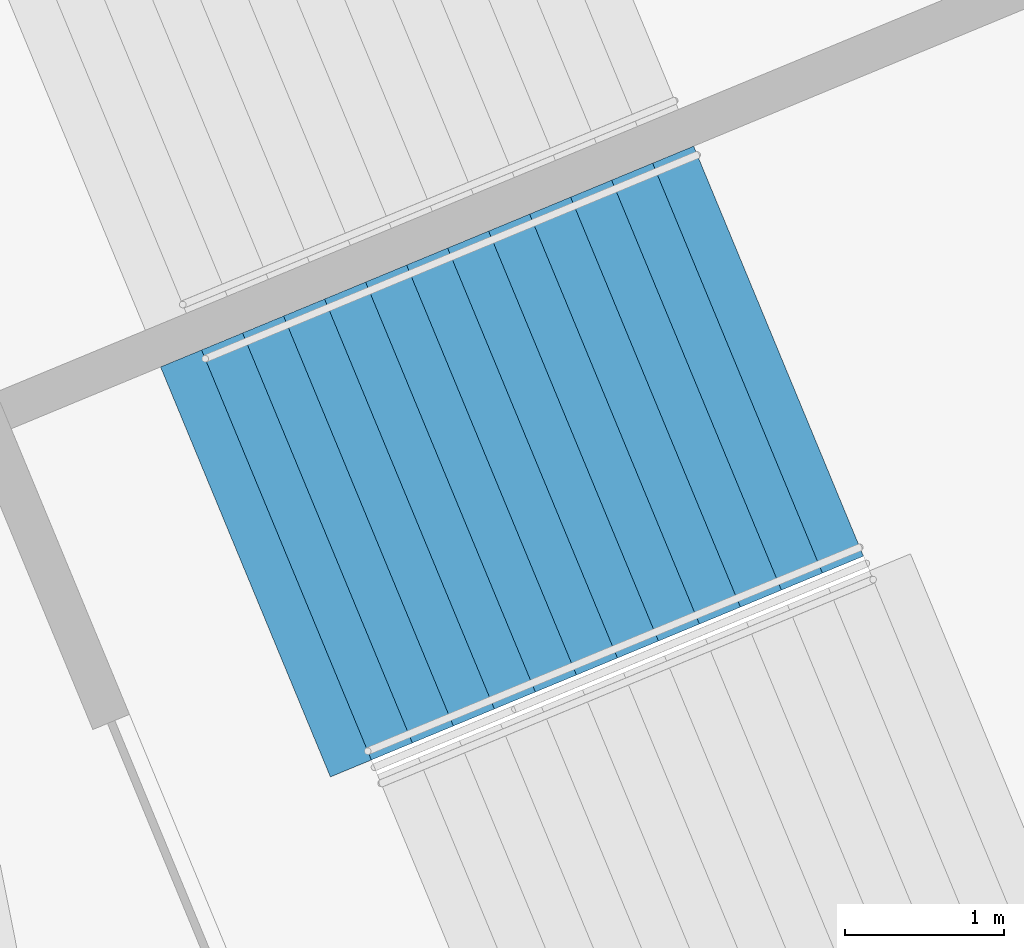
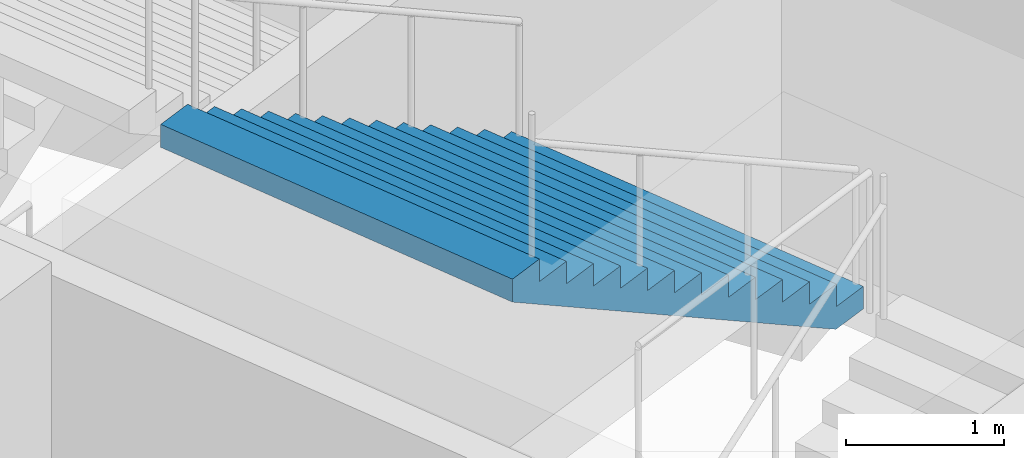
# One storey, part 156 of 177: 1 stair flight, 1 element without a shape of its own.
"""IFC4 building model written with IfcOpenShell, lengths in metres."""

import ifcopenshell
import ifcopenshell.guid

model = None  # the IFC model being written
_history = None  # IfcOwnerHistory: only IFC2X3 demands one
_inside = {}  # id of a spatial element -> (the spatial element, [elements in it])
_under = {}  # id of a project, library or spatial element -> (it, [spatial elements below it])
_declared = {}  # id of a project -> (the project, [libraries it declares])
_typed = {}  # id of a type object -> (the type object, [elements of that type])
_made_of = {}  # id of a material, layer set ... -> (it, [elements and type objects made of it])


def new_model(schema):
    """Start an empty IFC model of exactly this schema.

    Asked for "IFC4X3", IfcOpenShell would pick the latest addendum, in which some entities
    have other attributes; the version numbers below select the first issue.
    IFC2X3 requires an IfcOwnerHistory on every rooted entity: one is made here for all.
    """
    global model, _history
    if schema == "IFC4X3":
        model = ifcopenshell.file(schema_version=(4, 3, 0, 0))
    else:
        model = ifcopenshell.file(schema=schema)
    _inside.clear()
    _under.clear()
    _declared.clear()
    _typed.clear()
    _made_of.clear()
    _history = None
    if model.schema == "IFC2X3":
        org = make("IfcOrganization", Name="unknown")
        user = make(
            "IfcPersonAndOrganization",
            ThePerson=make("IfcPerson", FamilyName="unknown"),
            TheOrganization=org,
        )
        app = make(
            "IfcApplication",
            ApplicationDeveloper=org,
            Version="unknown",
            ApplicationFullName="unknown",
            ApplicationIdentifier="unknown",
        )
        _history = make(
            "IfcOwnerHistory",
            OwningUser=user,
            OwningApplication=app,
            ChangeAction="ADDED",
            CreationDate=0,
        )
    return model


def make(cls, **values):
    """One entity of the class cls with the attributes given. An attribute that is None is left unset."""
    return model.create_entity(
        cls, **{name: value for name, value in values.items() if value is not None}
    )


def rooted(cls, **values):
    """An entity with a GlobalId (a new one), such as an element, a storey or a relation."""
    return make(cls, GlobalId=ifcopenshell.guid.new(), OwnerHistory=_history, **values)


def si_unit(unit_type, name, prefix=None):
    """IfcSIUnit, for example si_unit("LENGTHUNIT", "METRE", prefix="MILLI")."""
    return make("IfcSIUnit", UnitType=unit_type, Prefix=prefix, Name=name)


def assignment(units):
    """IfcUnitAssignment: the units of a project."""
    return None if units is None else make("IfcUnitAssignment", Units=units)


def point(xyz):
    """IfcCartesianPoint."""
    return None if xyz is None else make("IfcCartesianPoint", Coordinates=xyz)


def direction(xyz):
    """IfcDirection."""
    return None if xyz is None else make("IfcDirection", DirectionRatios=xyz)


def frame(location, z_axis=None, x_axis=None):
    """IfcAxis2Placement3D, a coordinate frame: its origin and axes. An axis left out is left unset."""
    return make(
        "IfcAxis2Placement3D",
        Location=point(location),
        Axis=direction(z_axis),
        RefDirection=direction(x_axis),
    )


def origin():
    """The frame at (0, 0, 0) with its axes left unset."""
    return frame((0.0, 0.0, 0.0))


def place(relative_to, where):
    """IfcLocalPlacement: puts the frame where relative to a parent placement (None: the world)."""
    return make(
        "IfcLocalPlacement", PlacementRelTo=relative_to, RelativePlacement=where
    )


def context(
    kind, dimensions, precision=None, world=None, true_north=None, identifier=None
):
    """IfcGeometricRepresentationContext, for example the 3D "Model" context."""
    return make(
        "IfcGeometricRepresentationContext",
        ContextIdentifier=identifier,
        ContextType=kind,
        CoordinateSpaceDimension=dimensions,
        Precision=precision,
        WorldCoordinateSystem=world,
        TrueNorth=true_north,
    )


def subcontext(parent, identifier, kind, view, scale=None):
    """IfcGeometricRepresentationSubContext, for example "Body" below "Model"."""
    return make(
        "IfcGeometricRepresentationSubContext",
        ContextIdentifier=identifier,
        ContextType=kind,
        ParentContext=parent,
        TargetScale=scale,
        TargetView=view,
    )


def project(units=None, contexts=None):
    """IfcProject with its units and contexts."""
    return rooted(
        "IfcProject",
        Name="project",
        RepresentationContexts=contexts,
        UnitsInContext=assignment(units),
    )


def spatial(cls, under=None, at=None, **own):
    """A site, building, storey or space (cls), placed at a placement, below another one or the project."""
    s = rooted(cls, ObjectPlacement=at, **own)
    if under is not None:
        _under.setdefault(under.id(), (under, []))[1].append(s)
    return s


def faces_of(points, faces, orient=None, outer=None):
    """IfcFace entities. A face is a list of loops; a loop is a list of indices into points, from 0.

    orient and outer hold one flag for each loop. By default every Orientation is true, the
    first loop of a face is its IfcFaceOuterBound and the others are IfcFaceBound.
    """
    made = []
    for i, loops in enumerate(faces):
        bounds = []
        for j, loop in enumerate(loops):
            is_outer = j == 0 if outer is None else outer[i][j]
            bounds.append(
                make(
                    "IfcFaceOuterBound" if is_outer else "IfcFaceBound",
                    Bound=make("IfcPolyLoop", Polygon=[points[k] for k in loop]),
                    Orientation=True if orient is None else orient[i][j],
                )
            )
        made.append(make("IfcFace", Bounds=bounds))
    return made


def faceted_brep(points, faces, orient=None, outer=None, voids=None):
    """IfcFacetedBrep: a solid bounded by flat faces; with voids (closed shells), ...WithVoids."""
    shared = [point(p) for p in points]
    hull = make("IfcClosedShell", CfsFaces=faces_of(shared, faces, orient, outer))
    if voids is None:
        return make("IfcFacetedBrep", Outer=hull)
    return make(
        "IfcFacetedBrepWithVoids",
        Outer=hull,
        Voids=[
            make(cls, CfsFaces=faces_of(shared, fs, o, b)) for cls, fs, o, b in voids
        ],
    )


def shape(context_of_items, identifier, shape_type, items):
    """IfcShapeRepresentation: the items that make up one representation, for example the "Body"."""
    return make(
        "IfcShapeRepresentation",
        ContextOfItems=context_of_items,
        RepresentationIdentifier=identifier,
        RepresentationType=shape_type,
        Items=items,
    )


def material(Name=None, Category=None):
    """IfcMaterial."""
    return make("IfcMaterial", Name=Name, Category=Category)


def made_of(thing, what):
    """Note that an element or type object is made of a material, layer set ...; save() writes the relation."""
    if what is not None:
        _made_of.setdefault(what.id(), (what, []))[1].append(thing)
    return thing


def type_object(cls, material=None, **own):
    """A type object (cls), such as IfcWallType, which elements share."""
    return made_of(rooted(cls, **own), material)


def element(
    cls,
    number,
    at=None,
    inside=None,
    cuts=None,
    type_object=None,
    material=None,
    context=None,
    identifier="Body",
    shape_type=None,
    held_by="IfcProductDefinitionShape",
    body=None,
    shapes=None,
    **own,
):
    """One element of the class cls, such as IfcWall. Its Tag is "e" and its number.

    at: its placement. inside: the storey or other place that contains it. cuts: it is an
    opening in that element (IfcRelVoidsElement). A single representation is given by context,
    identifier, shape_type and body (its items); several are given by shapes. held_by: the class
    of the entity that holds the representations. save() writes the other relations.
    """
    e = rooted(cls, Tag="e%d" % number, ObjectPlacement=at, **own)
    if body is not None:
        shapes = [shape(context, identifier, shape_type, body)]
    if shapes is not None:
        e.Representation = make(held_by, Representations=shapes)
    if inside is not None:
        _inside.setdefault(inside.id(), (inside, []))[1].append(e)
    if cuts is not None:
        rooted(
            "IfcRelVoidsElement", RelatingBuildingElement=cuts, RelatedOpeningElement=e
        )
    if type_object is not None:
        _typed.setdefault(type_object.id(), (type_object, []))[1].append(e)
    return made_of(e, material)


def aggregate(whole, parts):
    """IfcRelAggregates: a whole, such as a stair, and the parts it consists of."""
    return rooted("IfcRelAggregates", RelatingObject=whole, RelatedObjects=parts)


def save(model, path):
    """Write the relations noted so far, then the file.

    IfcRelAggregates (storeys below a building ...), IfcRelContainedInSpatialStructure (elements
    in a storey), IfcRelDefinesByType, IfcRelAssociatesMaterial and IfcRelDeclares: one each for
    every whole, place, type object, material and project.
    """
    for whole, parts in _under.values():
        aggregate(whole, parts)
    for where, things in _inside.values():
        rooted(
            "IfcRelContainedInSpatialStructure",
            RelatedElements=things,
            RelatingStructure=where,
        )
    for kind, things in _typed.values():
        rooted("IfcRelDefinesByType", RelatedObjects=things, RelatingType=kind)
    for what, things in _made_of.values():
        rooted("IfcRelAssociatesMaterial", RelatedObjects=things, RelatingMaterial=what)
    for by, libraries in _declared.values():
        rooted("IfcRelDeclares", RelatingContext=by, RelatedDefinitions=libraries)
    model.write(path)


model = new_model("IFC4")

# Units and contexts
model_context = context("Model", 3, precision=1e-05, world=origin(), true_north=direction((0.0, 1.0)))
body_context = subcontext(model_context, "Body", "Model", "MODEL_VIEW")
ifc_project = project(units=[si_unit("LENGTHUNIT", "METRE"), si_unit("AREAUNIT", "SQUARE_METRE"), si_unit("VOLUMEUNIT", "CUBIC_METRE"), si_unit("PLANEANGLEUNIT", "RADIAN"), si_unit("MASSUNIT", "GRAM", prefix="KILO")], contexts=[model_context])

# Site, building, storey
site_placement = place(None, origin())
site = spatial("IfcSite", under=ifc_project, at=site_placement, CompositionType="ELEMENT")
building_placement = place(site_placement, origin())
building = spatial("IfcBuilding", under=site, at=building_placement, Name="Ogive Plaza Stadium", CompositionType="ELEMENT")
storey_placement = place(building_placement, frame((0.0, 0.0, 18.0)))
storey = spatial("IfcBuildingStorey", under=building, at=storey_placement, Name="L04", CompositionType="ELEMENT", Elevation=18.0)

# Stair, stair flight
ifc_material_1 = material(Name="Concrete C40/50", Category="concrete")
stair_type = type_object("IfcStairType", Name="Exit stair", PredefinedType="STRAIGHT_RUN_STAIR", material=ifc_material_1)
stair_placement = place(storey_placement, origin())
stair = element("IfcStair", 1, at=stair_placement, inside=storey, type_object=stair_type, Name="Exit stair ST40A L04 to L05", PredefinedType="STRAIGHT_RUN_STAIR")
ifc_material_2 = material(Name="Concrete C40/50", Category="concrete")
stair_flight_type = type_object("IfcStairFlightType", Name="Exit stair flight", PredefinedType="STRAIGHT", material=ifc_material_2)
stair_flight_placement = place(storey_placement, frame((76.814208984375, 68.58349609375, 2.25), z_axis=(0.0, 0.0, 1.0), x_axis=(-0.923879532511, -0.382683432365, 0.0)))
stair_flight = element("IfcStairFlight", 2, at=stair_flight_placement, type_object=stair_flight_type, Name="ST40A flight 2", NumberOfRisers=13, NumberOfTreads=12, PredefinedType="STRAIGHT", RiserHeight=0.173076923, TreadLength=0.28, context=body_context, shape_type="Brep", body=[
    faceted_brep([(0.28515625, -1.39990234375, 0.0), (3.639892578125, -1.39990234375, 2.07373046875), (3.639892578125, -1.39990234375, 2.25), (3.360107421875, -1.39990234375, 2.25), (3.360107421875, -1.39990234375, 2.076904296875), (3.080078125, -1.39990234375, 2.076904296875), (3.080078125, -1.39990234375, 1.90380859375), (2.800048828125, -1.39990234375, 1.90380859375), (2.800048828125, -1.39990234375, 1.730712890625), (2.52001953125, -1.39990234375, 1.730712890625), (2.52001953125, -1.39990234375, 1.5576171875), (2.239990234375, -1.39990234375, 1.5576171875), (2.239990234375, -1.39990234375, 1.384521484375), (1.9599609375, -1.39990234375, 1.384521484375), (1.9599609375, -1.39990234375, 1.21142578125), (1.679931640625, -1.39990234375, 1.21142578125), (1.679931640625, -1.39990234375, 1.03857421875), (1.39990234375, -1.39990234375, 1.03857421875), (1.39990234375, -1.39990234375, 0.865478515625), (1.1201171875, -1.39990234375, 0.865478515625), (1.1201171875, -1.39990234375, 0.6923828125), (0.840087890625, -1.39990234375, 0.6923828125), (0.840087890625, -1.39990234375, 0.519287109375), (0.56005859375, -1.39990234375, 0.519287109375), (0.56005859375, -1.39990234375, 0.34619140625), (0.280029296875, -1.39990234375, 0.34619140625), (0.280029296875, -1.39990234375, 0.173095703125), (0.0, -1.39990234375, 0.173095703125), (0.0, -1.39990234375, 0.0), (0.0, 1.39990234375, 0.0), (0.0, 1.39990234375, 0.173095703125), (0.280029296875, 1.39990234375, 0.173095703125), (0.280029296875, 1.39990234375, 0.34619140625), (0.56005859375, 1.39990234375, 0.34619140625), (0.56005859375, 1.39990234375, 0.519287109375), (0.840087890625, 1.39990234375, 0.519287109375), (0.840087890625, 1.39990234375, 0.6923828125), (1.1201171875, 1.39990234375, 0.6923828125), (1.1201171875, 1.39990234375, 0.865478515625), (1.39990234375, 1.39990234375, 0.865478515625), (1.39990234375, 1.39990234375, 1.03857421875), (1.679931640625, 1.39990234375, 1.03857421875), (1.679931640625, 1.39990234375, 1.21142578125), (1.9599609375, 1.39990234375, 1.21142578125), (1.9599609375, 1.39990234375, 1.384521484375), (2.239990234375, 1.39990234375, 1.384521484375), (2.239990234375, 1.39990234375, 1.5576171875), (2.52001953125, 1.39990234375, 1.5576171875), (2.52001953125, 1.39990234375, 1.730712890625), (2.800048828125, 1.39990234375, 1.730712890625), (2.800048828125, 1.39990234375, 1.90380859375), (3.080078125, 1.39990234375, 1.90380859375), (3.080078125, 1.39990234375, 2.076904296875), (3.360107421875, 1.39990234375, 2.076904296875), (3.360107421875, 1.39990234375, 2.25), (3.639892578125, 1.39990234375, 2.25), (3.639892578125, 1.39990234375, 2.07373046875), (0.28515625, 1.39990234375, 0.0), (0.28515625, -1.0888671875, 0.0), (3.639892578125, -1.0888671875, 2.07373046875), (0.28515625, -0.77783203125, 0.0), (3.639892578125, -0.77783203125, 2.07373046875), (0.28515625, -0.466796875, 0.0), (3.639892578125, -0.466796875, 2.07373046875), (0.28515625, -0.155517578125, 0.0), (3.639892578125, -0.155517578125, 2.07373046875), (0.28515625, 0.155517578125, 0.0), (3.639892578125, 0.155517578125, 2.07373046875), (0.28515625, 0.466796875, 0.0), (3.639892578125, 0.466796875, 2.07373046875), (0.28515625, 0.77783203125, 0.0), (3.639892578125, 0.77783203125, 2.07373046875), (0.28515625, 1.0888671875, 0.0), (3.639892578125, 1.0888671875, 2.07373046875), (3.639892578125, -1.0888671875, 2.25), (3.639892578125, -0.77783203125, 2.25), (3.639892578125, -0.466796875, 2.25), (3.639892578125, -0.155517578125, 2.25), (3.639892578125, 0.155517578125, 2.25), (3.639892578125, 0.466796875, 2.25), (3.639892578125, 0.77783203125, 2.25), (3.639892578125, 1.0888671875, 2.25), (3.360107421875, -1.0888671875, 2.25), (3.360107421875, -0.77783203125, 2.25), (3.360107421875, -0.466796875, 2.25), (3.360107421875, -0.155517578125, 2.25), (3.360107421875, 0.155517578125, 2.25), (3.360107421875, 0.466796875, 2.25), (3.360107421875, 0.77783203125, 2.25), (3.360107421875, 1.0888671875, 2.25), (3.360107421875, -1.0888671875, 2.076904296875), (3.360107421875, -0.77783203125, 2.076904296875), (3.360107421875, -0.466796875, 2.076904296875), (3.360107421875, -0.155517578125, 2.076904296875), (3.360107421875, 0.155517578125, 2.076904296875), (3.360107421875, 0.466796875, 2.076904296875), (3.360107421875, 0.77783203125, 2.076904296875), (3.360107421875, 1.0888671875, 2.076904296875), (3.080078125, -1.0888671875, 2.076904296875), (3.080078125, -0.77783203125, 2.076904296875), (3.080078125, -0.466796875, 2.076904296875), (3.080078125, -0.155517578125, 2.076904296875), (3.080078125, 0.155517578125, 2.076904296875), (3.080078125, 0.466796875, 2.076904296875), (3.080078125, 0.77783203125, 2.076904296875), (3.080078125, 1.0888671875, 2.076904296875), (3.080078125, -1.0888671875, 1.90380859375), (3.080078125, -0.77783203125, 1.90380859375), (3.080078125, -0.466796875, 1.90380859375), (3.080078125, -0.155517578125, 1.90380859375), (3.080078125, 0.155517578125, 1.90380859375), (3.080078125, 0.466796875, 1.90380859375), (3.080078125, 0.77783203125, 1.90380859375), (3.080078125, 1.0888671875, 1.90380859375), (2.800048828125, -1.0888671875, 1.90380859375), (2.800048828125, -0.77783203125, 1.90380859375), (2.800048828125, -0.466796875, 1.90380859375), (2.800048828125, -0.155517578125, 1.90380859375), (2.800048828125, 0.155517578125, 1.90380859375), (2.800048828125, 0.466796875, 1.90380859375), (2.800048828125, 0.77783203125, 1.90380859375), (2.800048828125, 1.0888671875, 1.90380859375), (2.800048828125, -1.0888671875, 1.730712890625), (2.800048828125, -0.77783203125, 1.730712890625), (2.800048828125, -0.466796875, 1.730712890625), (2.800048828125, -0.155517578125, 1.730712890625), (2.800048828125, 0.155517578125, 1.730712890625), (2.800048828125, 0.466796875, 1.730712890625), (2.800048828125, 0.77783203125, 1.730712890625), (2.800048828125, 1.0888671875, 1.730712890625), (2.52001953125, -1.0888671875, 1.730712890625), (2.52001953125, -0.77783203125, 1.730712890625), (2.52001953125, -0.466796875, 1.730712890625), (2.52001953125, -0.155517578125, 1.730712890625), (2.52001953125, 0.155517578125, 1.730712890625), (2.52001953125, 0.466796875, 1.730712890625), (2.52001953125, 0.77783203125, 1.730712890625), (2.52001953125, 1.0888671875, 1.730712890625), (2.52001953125, -1.0888671875, 1.5576171875), (2.52001953125, -0.77783203125, 1.5576171875), (2.52001953125, -0.466796875, 1.5576171875), (2.52001953125, -0.155517578125, 1.5576171875), (2.52001953125, 0.155517578125, 1.5576171875), (2.52001953125, 0.466796875, 1.5576171875), (2.52001953125, 0.77783203125, 1.5576171875), (2.52001953125, 1.0888671875, 1.5576171875), (2.239990234375, -1.0888671875, 1.5576171875), (2.239990234375, -0.77783203125, 1.5576171875), (2.239990234375, -0.466796875, 1.5576171875), (2.239990234375, -0.155517578125, 1.5576171875), (2.239990234375, 0.155517578125, 1.5576171875), (2.239990234375, 0.466796875, 1.5576171875), (2.239990234375, 0.77783203125, 1.5576171875), (2.239990234375, 1.0888671875, 1.5576171875), (2.239990234375, -1.0888671875, 1.384521484375), (2.239990234375, -0.77783203125, 1.384521484375), (2.239990234375, -0.466796875, 1.384521484375), (2.239990234375, -0.155517578125, 1.384521484375), (2.239990234375, 0.155517578125, 1.384521484375), (2.239990234375, 0.466796875, 1.384521484375), (2.239990234375, 0.77783203125, 1.384521484375), (2.239990234375, 1.0888671875, 1.384521484375), (1.9599609375, -1.0888671875, 1.384521484375), (1.9599609375, -0.77783203125, 1.384521484375), (1.9599609375, -0.466796875, 1.384521484375), (1.9599609375, -0.155517578125, 1.384521484375), (1.9599609375, 0.155517578125, 1.384521484375), (1.9599609375, 0.466796875, 1.384521484375), (1.9599609375, 0.77783203125, 1.384521484375), (1.9599609375, 1.0888671875, 1.384521484375), (1.9599609375, -1.0888671875, 1.21142578125), (1.9599609375, -0.77783203125, 1.21142578125), (1.9599609375, -0.466796875, 1.21142578125), (1.9599609375, -0.155517578125, 1.21142578125), (1.9599609375, 0.155517578125, 1.21142578125), (1.9599609375, 0.466796875, 1.21142578125), (1.9599609375, 0.77783203125, 1.21142578125), (1.9599609375, 1.0888671875, 1.21142578125), (1.679931640625, -1.0888671875, 1.21142578125), (1.679931640625, -0.77783203125, 1.21142578125), (1.679931640625, -0.466796875, 1.21142578125), (1.679931640625, -0.155517578125, 1.21142578125), (1.679931640625, 0.155517578125, 1.21142578125), (1.679931640625, 0.466796875, 1.21142578125), (1.679931640625, 0.77783203125, 1.21142578125), (1.679931640625, 1.0888671875, 1.21142578125), (1.679931640625, -1.0888671875, 1.03857421875), (1.679931640625, -0.77783203125, 1.03857421875), (1.679931640625, -0.466796875, 1.03857421875), (1.679931640625, -0.155517578125, 1.03857421875), (1.679931640625, 0.155517578125, 1.03857421875), (1.679931640625, 0.466796875, 1.03857421875), (1.679931640625, 0.77783203125, 1.03857421875), (1.679931640625, 1.0888671875, 1.03857421875), (1.39990234375, -1.0888671875, 1.03857421875), (1.39990234375, -0.77783203125, 1.03857421875), (1.39990234375, -0.466796875, 1.03857421875), (1.39990234375, -0.155517578125, 1.03857421875), (1.39990234375, 0.155517578125, 1.03857421875), (1.39990234375, 0.466796875, 1.03857421875), (1.39990234375, 0.77783203125, 1.03857421875), (1.39990234375, 1.0888671875, 1.03857421875), (1.39990234375, -1.0888671875, 0.865478515625), (1.39990234375, -0.77783203125, 0.865478515625), (1.39990234375, -0.466796875, 0.865478515625), (1.39990234375, -0.155517578125, 0.865478515625), (1.39990234375, 0.155517578125, 0.865478515625), (1.39990234375, 0.466796875, 0.865478515625), (1.39990234375, 0.77783203125, 0.865478515625), (1.39990234375, 1.0888671875, 0.865478515625), (1.1201171875, -1.0888671875, 0.865478515625), (1.1201171875, -0.77783203125, 0.865478515625), (1.1201171875, -0.466796875, 0.865478515625), (1.1201171875, -0.155517578125, 0.865478515625), (1.1201171875, 0.155517578125, 0.865478515625), (1.1201171875, 0.466796875, 0.865478515625), (1.1201171875, 0.77783203125, 0.865478515625), (1.1201171875, 1.0888671875, 0.865478515625), (1.1201171875, -1.0888671875, 0.6923828125), (1.1201171875, -0.77783203125, 0.6923828125), (1.1201171875, -0.466796875, 0.6923828125), (1.1201171875, -0.155517578125, 0.6923828125), (1.1201171875, 0.155517578125, 0.6923828125), (1.1201171875, 0.466796875, 0.6923828125), (1.1201171875, 0.77783203125, 0.6923828125), (1.1201171875, 1.0888671875, 0.6923828125), (0.840087890625, -1.0888671875, 0.6923828125), (0.840087890625, -0.77783203125, 0.6923828125), (0.840087890625, -0.466796875, 0.6923828125), (0.840087890625, -0.155517578125, 0.6923828125), (0.840087890625, 0.155517578125, 0.6923828125), (0.840087890625, 0.466796875, 0.6923828125), (0.840087890625, 0.77783203125, 0.6923828125), (0.840087890625, 1.0888671875, 0.6923828125), (0.840087890625, -1.0888671875, 0.519287109375), (0.840087890625, -0.77783203125, 0.519287109375), (0.840087890625, -0.466796875, 0.519287109375), (0.840087890625, -0.155517578125, 0.519287109375), (0.840087890625, 0.155517578125, 0.519287109375), (0.840087890625, 0.466796875, 0.519287109375), (0.840087890625, 0.77783203125, 0.519287109375), (0.840087890625, 1.0888671875, 0.519287109375), (0.56005859375, -1.0888671875, 0.519287109375), (0.56005859375, -0.77783203125, 0.519287109375), (0.56005859375, -0.466796875, 0.519287109375), (0.56005859375, -0.155517578125, 0.519287109375), (0.56005859375, 0.155517578125, 0.519287109375), (0.56005859375, 0.466796875, 0.519287109375), (0.56005859375, 0.77783203125, 0.519287109375), (0.56005859375, 1.0888671875, 0.519287109375), (0.56005859375, -1.0888671875, 0.34619140625), (0.56005859375, -0.77783203125, 0.34619140625), (0.56005859375, -0.466796875, 0.34619140625), (0.56005859375, -0.155517578125, 0.34619140625), (0.56005859375, 0.155517578125, 0.34619140625), (0.56005859375, 0.466796875, 0.34619140625), (0.56005859375, 0.77783203125, 0.34619140625), (0.56005859375, 1.0888671875, 0.34619140625), (0.280029296875, -1.0888671875, 0.34619140625), (0.280029296875, -0.77783203125, 0.34619140625), (0.280029296875, -0.466796875, 0.34619140625), (0.280029296875, -0.155517578125, 0.34619140625), (0.280029296875, 0.155517578125, 0.34619140625), (0.280029296875, 0.466796875, 0.34619140625), (0.280029296875, 0.77783203125, 0.34619140625), (0.280029296875, 1.0888671875, 0.34619140625), (0.280029296875, -1.0888671875, 0.173095703125), (0.280029296875, -0.77783203125, 0.173095703125), (0.280029296875, -0.466796875, 0.173095703125), (0.280029296875, -0.155517578125, 0.173095703125), (0.280029296875, 0.155517578125, 0.173095703125), (0.280029296875, 0.466796875, 0.173095703125), (0.280029296875, 0.77783203125, 0.173095703125), (0.280029296875, 1.0888671875, 0.173095703125), (0.0, -1.0888671875, 0.173095703125), (0.0, -0.77783203125, 0.173095703125), (0.0, -0.466796875, 0.173095703125), (0.0, -0.155517578125, 0.173095703125), (0.0, 0.155517578125, 0.173095703125), (0.0, 0.466796875, 0.173095703125), (0.0, 0.77783203125, 0.173095703125), (0.0, 1.0888671875, 0.173095703125), (0.0, -1.0888671875, 0.0), (0.0, -0.77783203125, 0.0), (0.0, -0.466796875, 0.0), (0.0, -0.155517578125, 0.0), (0.0, 0.155517578125, 0.0), (0.0, 0.466796875, 0.0), (0.0, 0.77783203125, 0.0), (0.0, 1.0888671875, 0.0)], [[[0, 1, 2, 3, 4, 5, 6, 7, 8, 9, 10, 11, 12, 13, 14, 15, 16, 17, 18, 19, 20, 21, 22, 23, 24, 25, 26, 27, 28]], [[29, 30, 31, 32, 33, 34, 35, 36, 37, 38, 39, 40, 41, 42, 43, 44, 45, 46, 47, 48, 49, 50, 51, 52, 53, 54, 55, 56, 57]], [[0, 58, 59, 1]], [[58, 60, 61, 59]], [[60, 62, 63, 61]], [[62, 64, 65, 63]], [[64, 66, 67, 65]], [[66, 68, 69, 67]], [[68, 70, 71, 69]], [[70, 72, 73, 71]], [[72, 57, 56, 73]], [[1, 59, 74, 2]], [[59, 61, 75, 74]], [[61, 63, 76, 75]], [[63, 65, 77, 76]], [[65, 67, 78, 77]], [[67, 69, 79, 78]], [[69, 71, 80, 79]], [[71, 73, 81, 80]], [[73, 56, 55, 81]], [[2, 74, 82, 3]], [[74, 75, 83, 82]], [[75, 76, 84, 83]], [[76, 77, 85, 84]], [[77, 78, 86, 85]], [[78, 79, 87, 86]], [[79, 80, 88, 87]], [[80, 81, 89, 88]], [[81, 55, 54, 89]], [[3, 82, 90, 4]], [[82, 83, 91, 90]], [[83, 84, 92, 91]], [[84, 85, 93, 92]], [[85, 86, 94, 93]], [[86, 87, 95, 94]], [[87, 88, 96, 95]], [[88, 89, 97, 96]], [[89, 54, 53, 97]], [[4, 90, 98, 5]], [[90, 91, 99, 98]], [[91, 92, 100, 99]], [[92, 93, 101, 100]], [[93, 94, 102, 101]], [[94, 95, 103, 102]], [[95, 96, 104, 103]], [[96, 97, 105, 104]], [[97, 53, 52, 105]], [[5, 98, 106, 6]], [[98, 99, 107, 106]], [[99, 100, 108, 107]], [[100, 101, 109, 108]], [[101, 102, 110, 109]], [[102, 103, 111, 110]], [[103, 104, 112, 111]], [[104, 105, 113, 112]], [[105, 52, 51, 113]], [[6, 106, 114, 7]], [[106, 107, 115, 114]], [[107, 108, 116, 115]], [[108, 109, 117, 116]], [[109, 110, 118, 117]], [[110, 111, 119, 118]], [[111, 112, 120, 119]], [[112, 113, 121, 120]], [[113, 51, 50, 121]], [[7, 114, 122, 8]], [[114, 115, 123, 122]], [[115, 116, 124, 123]], [[116, 117, 125, 124]], [[117, 118, 126, 125]], [[118, 119, 127, 126]], [[119, 120, 128, 127]], [[120, 121, 129, 128]], [[121, 50, 49, 129]], [[8, 122, 130, 9]], [[122, 123, 131, 130]], [[123, 124, 132, 131]], [[124, 125, 133, 132]], [[125, 126, 134, 133]], [[126, 127, 135, 134]], [[127, 128, 136, 135]], [[128, 129, 137, 136]], [[129, 49, 48, 137]], [[9, 130, 138, 10]], [[130, 131, 139, 138]], [[131, 132, 140, 139]], [[132, 133, 141, 140]], [[133, 134, 142, 141]], [[134, 135, 143, 142]], [[135, 136, 144, 143]], [[136, 137, 145, 144]], [[137, 48, 47, 145]], [[10, 138, 146, 11]], [[138, 139, 147, 146]], [[139, 140, 148, 147]], [[140, 141, 149, 148]], [[141, 142, 150, 149]], [[142, 143, 151, 150]], [[143, 144, 152, 151]], [[144, 145, 153, 152]], [[145, 47, 46, 153]], [[11, 146, 154, 12]], [[146, 147, 155, 154]], [[147, 148, 156, 155]], [[148, 149, 157, 156]], [[149, 150, 158, 157]], [[150, 151, 159, 158]], [[151, 152, 160, 159]], [[152, 153, 161, 160]], [[153, 46, 45, 161]], [[12, 154, 162, 13]], [[154, 155, 163, 162]], [[155, 156, 164, 163]], [[156, 157, 165, 164]], [[157, 158, 166, 165]], [[158, 159, 167, 166]], [[159, 160, 168, 167]], [[160, 161, 169, 168]], [[161, 45, 44, 169]], [[13, 162, 170, 14]], [[162, 163, 171, 170]], [[163, 164, 172, 171]], [[164, 165, 173, 172]], [[165, 166, 174, 173]], [[166, 167, 175, 174]], [[167, 168, 176, 175]], [[168, 169, 177, 176]], [[169, 44, 43, 177]], [[14, 170, 178, 15]], [[170, 171, 179, 178]], [[171, 172, 180, 179]], [[172, 173, 181, 180]], [[173, 174, 182, 181]], [[174, 175, 183, 182]], [[175, 176, 184, 183]], [[176, 177, 185, 184]], [[177, 43, 42, 185]], [[15, 178, 186, 16]], [[178, 179, 187, 186]], [[179, 180, 188, 187]], [[180, 181, 189, 188]], [[181, 182, 190, 189]], [[182, 183, 191, 190]], [[183, 184, 192, 191]], [[184, 185, 193, 192]], [[185, 42, 41, 193]], [[16, 186, 194, 17]], [[186, 187, 195, 194]], [[187, 188, 196, 195]], [[188, 189, 197, 196]], [[189, 190, 198, 197]], [[190, 191, 199, 198]], [[191, 192, 200, 199]], [[192, 193, 201, 200]], [[193, 41, 40, 201]], [[17, 194, 202, 18]], [[194, 195, 203, 202]], [[195, 196, 204, 203]], [[196, 197, 205, 204]], [[197, 198, 206, 205]], [[198, 199, 207, 206]], [[199, 200, 208, 207]], [[200, 201, 209, 208]], [[201, 40, 39, 209]], [[18, 202, 210, 19]], [[202, 203, 211, 210]], [[203, 204, 212, 211]], [[204, 205, 213, 212]], [[205, 206, 214, 213]], [[206, 207, 215, 214]], [[207, 208, 216, 215]], [[208, 209, 217, 216]], [[209, 39, 38, 217]], [[19, 210, 218, 20]], [[210, 211, 219, 218]], [[211, 212, 220, 219]], [[212, 213, 221, 220]], [[213, 214, 222, 221]], [[214, 215, 223, 222]], [[215, 216, 224, 223]], [[216, 217, 225, 224]], [[217, 38, 37, 225]], [[20, 218, 226, 21]], [[218, 219, 227, 226]], [[219, 220, 228, 227]], [[220, 221, 229, 228]], [[221, 222, 230, 229]], [[222, 223, 231, 230]], [[223, 224, 232, 231]], [[224, 225, 233, 232]], [[225, 37, 36, 233]], [[21, 226, 234, 22]], [[226, 227, 235, 234]], [[227, 228, 236, 235]], [[228, 229, 237, 236]], [[229, 230, 238, 237]], [[230, 231, 239, 238]], [[231, 232, 240, 239]], [[232, 233, 241, 240]], [[233, 36, 35, 241]], [[22, 234, 242, 23]], [[234, 235, 243, 242]], [[235, 236, 244, 243]], [[236, 237, 245, 244]], [[237, 238, 246, 245]], [[238, 239, 247, 246]], [[239, 240, 248, 247]], [[240, 241, 249, 248]], [[241, 35, 34, 249]], [[23, 242, 250, 24]], [[242, 243, 251, 250]], [[243, 244, 252, 251]], [[244, 245, 253, 252]], [[245, 246, 254, 253]], [[246, 247, 255, 254]], [[247, 248, 256, 255]], [[248, 249, 257, 256]], [[249, 34, 33, 257]], [[24, 250, 258, 25]], [[250, 251, 259, 258]], [[251, 252, 260, 259]], [[252, 253, 261, 260]], [[253, 254, 262, 261]], [[254, 255, 263, 262]], [[255, 256, 264, 263]], [[256, 257, 265, 264]], [[257, 33, 32, 265]], [[25, 258, 266, 26]], [[258, 259, 267, 266]], [[259, 260, 268, 267]], [[260, 261, 269, 268]], [[261, 262, 270, 269]], [[262, 263, 271, 270]], [[263, 264, 272, 271]], [[264, 265, 273, 272]], [[265, 32, 31, 273]], [[26, 266, 274, 27]], [[266, 267, 275, 274]], [[267, 268, 276, 275]], [[268, 269, 277, 276]], [[269, 270, 278, 277]], [[270, 271, 279, 278]], [[271, 272, 280, 279]], [[272, 273, 281, 280]], [[273, 31, 30, 281]], [[27, 274, 282, 28]], [[274, 275, 283, 282]], [[275, 276, 284, 283]], [[276, 277, 285, 284]], [[277, 278, 286, 285]], [[278, 279, 287, 286]], [[279, 280, 288, 287]], [[280, 281, 289, 288]], [[281, 30, 29, 289]], [[28, 282, 58, 0]], [[282, 283, 60, 58]], [[283, 284, 62, 60]], [[284, 285, 64, 62]], [[285, 286, 66, 64]], [[286, 287, 68, 66]], [[287, 288, 70, 68]], [[288, 289, 72, 70]], [[289, 29, 57, 72]]]),
])
aggregate(stair, [stair_flight])

save(model, "model.ifc")
